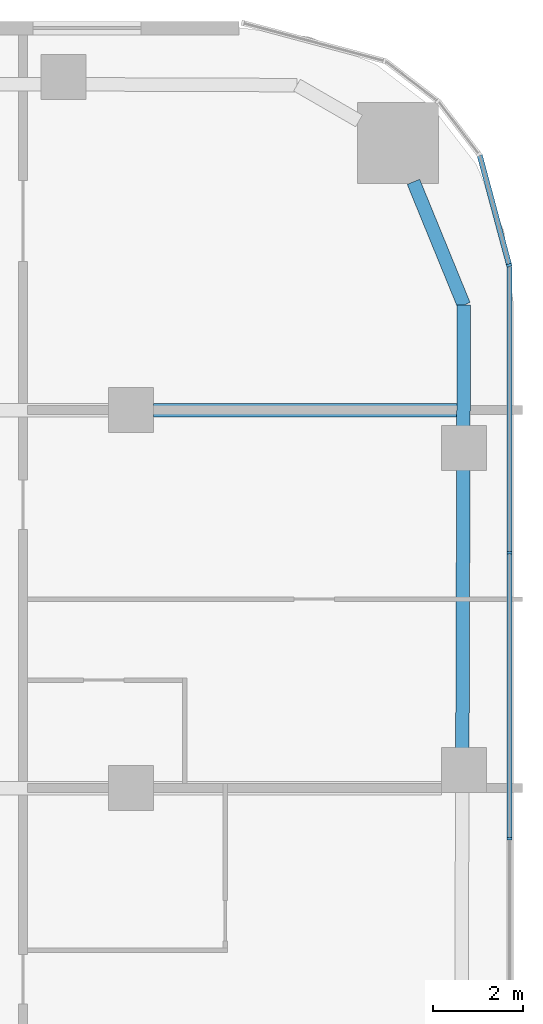
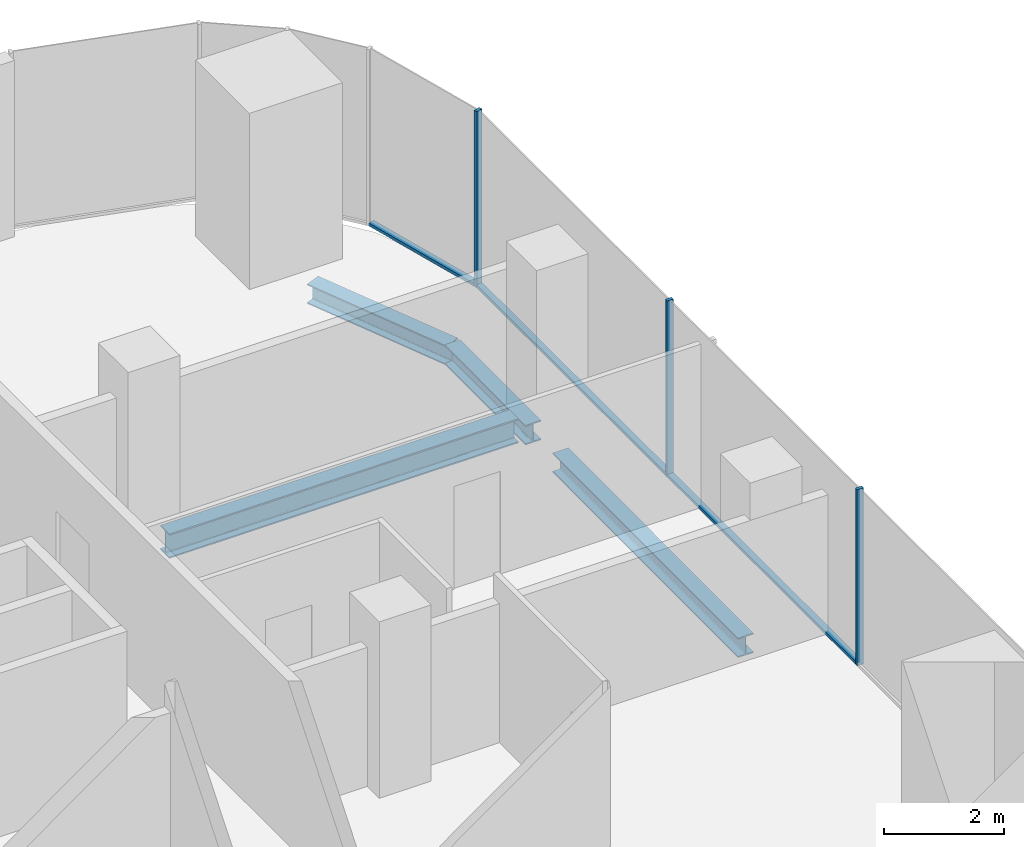
# One storey, part 12 of 26: 6 members, 4 beams, 2 elements without a shape of their own.
"""IFC4 building model written with IfcOpenShell, lengths in metres."""

from ifc_helpers import new_model, si_unit, direction, frame, origin, origin_2d, place, context, subcontext, project, spatial, rectangle, i_section, extrude, material, layer, layer_set, material_profile, profile_set, type_object, element, aggregate, save


model = new_model("IFC4")

# Units and contexts
model_context = context("Model", 3, precision=1e-05, world=origin(), true_north=direction((0.0, 1.0)))
body_context = subcontext(model_context, "Body", "Model", "MODEL_VIEW")
ifc_project = project(units=[si_unit("LENGTHUNIT", "METRE"), si_unit("AREAUNIT", "SQUARE_METRE"), si_unit("VOLUMEUNIT", "CUBIC_METRE"), si_unit("PLANEANGLEUNIT", "RADIAN"), si_unit("MASSUNIT", "GRAM", prefix="KILO")], contexts=[model_context])

# Site, building, storey
site_placement = place(None, origin())
site = spatial("IfcSite", under=ifc_project, at=site_placement, CompositionType="ELEMENT")
building_placement = place(site_placement, origin())
building = spatial("IfcBuilding", under=site, at=building_placement, Name="Marenta Gate Hotel Tower", CompositionType="ELEMENT")
storey_placement = place(building_placement, frame((0.0, 0.0, 72.5)))
storey = spatial("IfcBuildingStorey", under=building, at=storey_placement, Name="L16", CompositionType="ELEMENT", Elevation=72.5)

# Beams
ifc_material_1 = material(Name="Steel S355", Category="steel")
ifc_material_profile_1 = material_profile(ifc_material_1, i_section(OverallWidth=0.300048828125, OverallDepth=0.39990234375, WebThickness=0.013427734375, FlangeThickness=0.02392578125, FilletRadius=0.027099609375, at=origin_2d()), Name="HEB 400")
ifc_profile_set_1 = profile_set([ifc_material_profile_1], Name="Steel S355")
beam_type_1 = type_object("IfcBeamType", Name="Edge beam HEB 400", PredefinedType="SPANDREL", material=ifc_profile_set_1)
beam_1_placement = place(storey_placement, frame((27.280029296875, 30.2724609375, -0.4599609375), z_axis=(0.378565359962, -0.925574561144, 0.0), x_axis=(0.925574561144, 0.378565359962, 0.0)))
element("IfcBeam", 1, at=beam_1_placement, inside=storey, type_object=beam_type_1, Name="L16-EB-21", PredefinedType="SPANDREL", context=body_context, shape_type="SweptSolid", body=[
    extrude(i_section(OverallWidth=0.300048828125, OverallDepth=0.39990234375, WebThickness=0.013427734375, FlangeThickness=0.02392578125, FilletRadius=0.027099609375, at=origin_2d()), origin(), (0.0, 0.0, 1.0), 2.958251953125),
])
beam_2_placement = place(storey_placement, frame((28.39990234375, 27.534423828125, -0.4599609375), z_axis=(-0.003323434444, -0.999994477376, 0.0), x_axis=(0.999994477376, -0.003323434444, 0.0)))
element("IfcBeam", 2, at=beam_2_placement, inside=storey, type_object=beam_type_1, Name="L16-EB-22", PredefinedType="SPANDREL", context=body_context, shape_type="SweptSolid", body=[
    extrude(i_section(OverallWidth=0.300048828125, OverallDepth=0.39990234375, WebThickness=0.013427734375, FlangeThickness=0.02392578125, FilletRadius=0.027099609375, at=origin_2d()), origin(), (0.0, 0.0, 1.0), 2.718017578125),
])
beam_3_placement = place(storey_placement, frame((28.387939453125, 23.896484375, -0.4599609375), z_axis=(-0.003329137121, -0.999994458408, 0.0), x_axis=(0.999994458408, -0.003329137121, 0.0)))
element("IfcBeam", 3, at=beam_3_placement, inside=storey, type_object=beam_type_1, Name="L16-EB-23", PredefinedType="SPANDREL", context=body_context, shape_type="SweptSolid", body=[
    extrude(i_section(OverallWidth=0.300048828125, OverallDepth=0.39990234375, WebThickness=0.013427734375, FlangeThickness=0.02392578125, FilletRadius=0.027099609375, at=origin_2d()), origin(), (0.0, 0.0, 1.0), 6.2333984375),
])
ifc_material_2 = material(Name="Steel S355", Category="steel")
ifc_material_profile_2 = material_profile(ifc_material_2, i_section(OverallWidth=0.300048828125, OverallDepth=0.5, WebThickness=0.014404296875, FlangeThickness=0.028076171875, FilletRadius=0.027099609375, at=origin_2d()), Name="HEB 500")
ifc_profile_set_2 = profile_set([ifc_material_profile_2], Name="Steel S355")
beam_type_2 = type_object("IfcBeamType", Name="Girder HEB 500", PredefinedType="BEAM", material=ifc_profile_set_2)
beam_4_placement = place(storey_placement, frame((21.5, 25.199951171875, -0.510009765625), z_axis=(1.0, 0.0, 0.0), x_axis=(0.0, 1.0, 0.0)))
element("IfcBeam", 4, at=beam_4_placement, inside=storey, type_object=beam_type_2, Name="L16-GD-28", PredefinedType="BEAM", context=body_context, shape_type="SweptSolid", body=[
    extrude(i_section(OverallWidth=0.300048828125, OverallDepth=0.5, WebThickness=0.014404296875, FlangeThickness=0.028076171875, FilletRadius=0.027099609375, at=origin_2d()), origin(), (0.0, 0.0, 1.0), 6.7421875),
])

# Curtain wall, members
ifc_material_3 = material(Name="Tinted insulated glass in bronze anodised frame", Category="glass")
ifc_layer = layer(ifc_material_3, 0.1201171875)
ifc_layer_set = layer_set([ifc_layer], Name="Tinted insulated glass in bronze anodised frame")
curtain_wall_type = type_object("IfcCurtainWallType", Name="Tower unitised curtain wall CW1", PredefinedType="NOTDEFINED", material=ifc_layer_set)
curtain_wall_1_placement = place(storey_placement, origin())
curtain_wall_1 = element("IfcCurtainWall", 5, at=curtain_wall_1_placement, inside=storey, type_object=curtain_wall_type, Name="CW1 run G11", PredefinedType="NOTDEFINED")
ifc_material_4 = material(Name="Bronze anodised aluminium", Category="aluminium")
ifc_material_profile_3 = material_profile(ifc_material_4, rectangle(XDim=0.1201171875, YDim=0.06005859375, at=origin_2d()), Name="Mullion CW1 60x120 bronze anodised aluminium")
ifc_profile_set_3 = profile_set([ifc_material_profile_3], Name="Bronze anodised aluminium")
member_type_1 = type_object("IfcMemberType", Name="Mullion CW1 60x120 bronze anodised aluminium", PredefinedType="MULLION", material=ifc_profile_set_3)
member_1_placement = place(storey_placement, frame((29.4140625, 15.671875, 0.0), z_axis=(0.0, 0.0, 1.0), x_axis=(-1.0, 0.0, 0.0)))
member_1 = element("IfcMember", 6, at=member_1_placement, type_object=member_type_1, Name="CW1 mullion 5", PredefinedType="MULLION", context=body_context, shape_type="SweptSolid", body=[
    extrude(rectangle(XDim=0.1201171875, YDim=0.06005859375, at=origin_2d()), origin(), (0.0, 0.0, 1.0), 3.60009765625),
])
member_2_placement = place(storey_placement, frame((29.4140625, 22.031982421875, 0.0), z_axis=(0.0, 0.0, 1.0), x_axis=(-1.0, 0.0, 0.0)))
member_2 = element("IfcMember", 7, at=member_2_placement, type_object=member_type_1, Name="CW1 mullion 6", PredefinedType="MULLION", context=body_context, shape_type="SweptSolid", body=[
    extrude(rectangle(XDim=0.1201171875, YDim=0.06005859375, at=origin_2d()), origin(), (0.0, 0.0, 1.0), 3.60009765625),
])

# Curtain wall, member
curtain_wall_2_placement = place(storey_placement, origin())
curtain_wall_2 = element("IfcCurtainWall", 8, at=curtain_wall_2_placement, inside=storey, type_object=curtain_wall_type, Name="CW1 run G12", PredefinedType="NOTDEFINED")
member_3_placement = place(storey_placement, frame((29.40625, 28.4208984375, 0.0), z_axis=(0.0, 0.0, 1.0), x_axis=(-0.965925039579, -0.258821981125, 0.0)))
member_3 = element("IfcMember", 9, at=member_3_placement, type_object=member_type_1, Name="CW1 mullion 1", PredefinedType="MULLION", context=body_context, shape_type="SweptSolid", body=[
    extrude(rectangle(XDim=0.1201171875, YDim=0.06005859375, at=origin_2d()), origin(), (0.0, 0.0, 1.0), 3.60009765625),
])

# Member
ifc_material_5 = material(Name="Bronze anodised aluminium", Category="aluminium")
ifc_material_profile_4 = material_profile(ifc_material_5, rectangle(XDim=0.1201171875, YDim=0.06005859375, at=origin_2d()), Name="Transom CW1 60x120 bronze anodised aluminium")
ifc_profile_set_4 = profile_set([ifc_material_profile_4], Name="Bronze anodised aluminium")
member_type_2 = type_object("IfcMemberType", Name="Transom CW1 60x120 bronze anodised aluminium", PredefinedType="USERDEFINED", material=ifc_profile_set_4)
member_4_placement = place(storey_placement, frame((29.4140625, 15.701904296875, 0.030029296875), z_axis=(0.0, 1.0, 0.0), x_axis=(-1.0, 0.0, 0.0)))
member_4 = element("IfcMember", 10, at=member_4_placement, type_object=member_type_2, Name="CW1 transom 5.1", ObjectType="TRANSOM", PredefinedType="USERDEFINED", context=body_context, shape_type="SweptSolid", body=[
    extrude(rectangle(XDim=0.1201171875, YDim=0.06005859375, at=origin_2d()), origin(), (0.0, 0.0, 1.0), 6.300048828125),
])

member_5_placement = place(storey_placement, frame((29.4140625, 22.06201171875, 0.030029296875), z_axis=(0.0, 1.0, 0.0), x_axis=(-1.0, 0.0, 0.0)))
member_5 = element("IfcMember", 11, at=member_5_placement, type_object=member_type_2, Name="CW1 transom 6.1", ObjectType="TRANSOM", PredefinedType="USERDEFINED", context=body_context, shape_type="SweptSolid", body=[
    extrude(rectangle(XDim=0.1201171875, YDim=0.06005859375, at=origin_2d()), origin(), (0.0, 0.0, 1.0), 6.329833984375),
])

aggregate(curtain_wall_1, [member_1, member_2, member_4, member_5])

member_6_placement = place(storey_placement, frame((29.3984375, 28.449951171875, 0.030029296875), z_axis=(-0.258859731326, 0.96591492353, 0.0), x_axis=(-0.96591492353, -0.258859731326, 0.0)))
member_6 = element("IfcMember", 12, at=member_6_placement, type_object=member_type_2, Name="CW1 transom 1.1", ObjectType="TRANSOM", PredefinedType="USERDEFINED", context=body_context, shape_type="SweptSolid", body=[
    extrude(rectangle(XDim=0.1201171875, YDim=0.06005859375, at=origin_2d()), origin(), (0.0, 0.0, 1.0), 2.500244140625),
])

aggregate(curtain_wall_2, [member_3, member_6])

save(model, "model.ifc")
